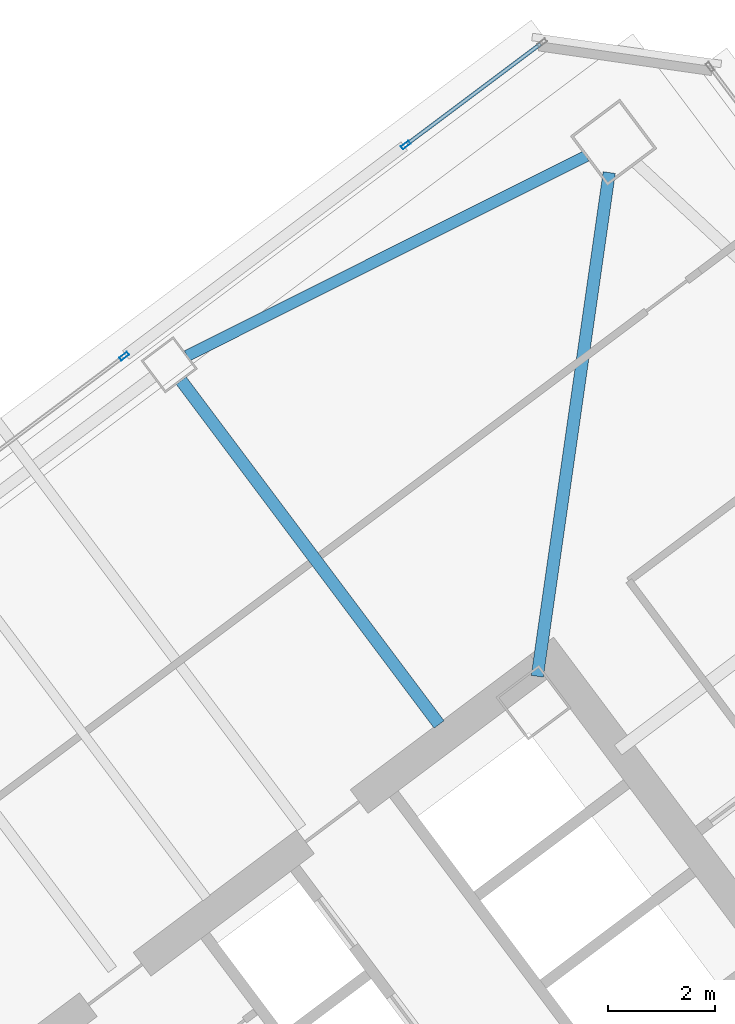
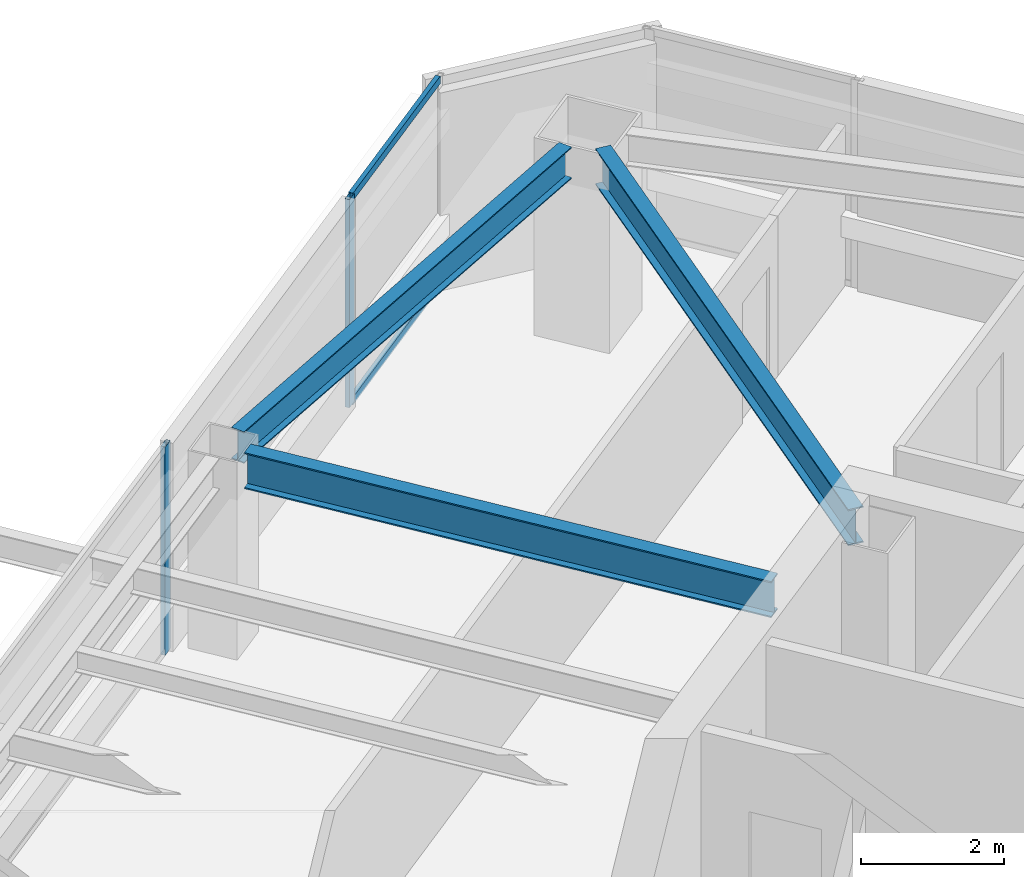
# One storey, part 26 of 41: 4 members, 3 beams, 2 elements without a shape of their own.
"""IFC4 building model written with IfcOpenShell, lengths in metres."""

from ifc_helpers import new_model, si_unit, direction, frame, origin, origin_2d, place, context, subcontext, project, spatial, hollow_rectangle, i_section, extrude, material, material_profile, profile_set, type_object, element, aggregate, save


model = new_model("IFC4")

# Units and contexts
model_context = context("Model", 3, precision=1e-05, world=origin(), true_north=direction((0.0, 1.0)))
body_context = subcontext(model_context, "Body", "Model", "MODEL_VIEW")
ifc_project = project(units=[si_unit("LENGTHUNIT", "METRE"), si_unit("AREAUNIT", "SQUARE_METRE"), si_unit("VOLUMEUNIT", "CUBIC_METRE"), si_unit("PLANEANGLEUNIT", "RADIAN"), si_unit("MASSUNIT", "GRAM", prefix="KILO")], contexts=[model_context])

# Site, building, storey
site_placement = place(None, origin())
site = spatial("IfcSite", under=ifc_project, at=site_placement, CompositionType="ELEMENT")
building_placement = place(site_placement, origin())
building = spatial("IfcBuilding", under=site, at=building_placement, Name="Tashvorn Skyway Center", CompositionType="ELEMENT")
storey_placement = place(building_placement, frame((0.0, 0.0, 174.75)))
storey = spatial("IfcBuildingStorey", under=building, at=storey_placement, Name="L47", CompositionType="ELEMENT", Elevation=174.75)

# Beams
ifc_material_1 = material(Name="Steel ASTM A992 Grade 50", Category="steel")
ifc_material_profile_1 = material_profile(ifc_material_1, i_section(OverallWidth=0.22998046875, OverallDepth=0.616943359375, WebThickness=0.01318359375, FlangeThickness=0.022216796875, at=origin_2d()), Name="W24X94")
ifc_profile_set_1 = profile_set([ifc_material_profile_1], Name="Steel ASTM A992 Grade 50")
beam_type_1 = type_object("IfcBeamType", Name="BM-BEAM-W24X94", PredefinedType="BEAM", material=ifc_profile_set_1)
beam_1_placement = place(storey_placement, frame((116.8193359375, 51.73583984375, 3.0615234375), z_axis=(-0.141417747326, -0.989950009213, 0.0), x_axis=(0.989950009213, -0.141417747326, 0.0)))
element("IfcBeam", 1, at=beam_1_placement, inside=storey, type_object=beam_type_1, Name="Tower 2 L47 Primary Floor Girder MC-NE", PredefinedType="BEAM", context=body_context, shape_type="SweptSolid", body=[
    extrude(i_section(OverallWidth=0.22998046875, OverallDepth=0.616943359375, WebThickness=0.01318359375, FlangeThickness=0.022216796875, at=origin_2d()), origin(), (0.0, 0.0, 1.0), 9.470947265625),
])
beam_2_placement = place(storey_placement, frame((108.85205078125, 47.864013671875, 3.0615234375), z_axis=(0.60000976564, -0.799992675677, 0.0), x_axis=(0.799992675677, 0.60000976564, 0.0)))
element("IfcBeam", 2, at=beam_2_placement, inside=storey, type_object=beam_type_1, Name="Tower 2 L47 Primary Floor Girder FC-N1", PredefinedType="BEAM", context=body_context, shape_type="SweptSolid", body=[
    extrude(i_section(OverallWidth=0.22998046875, OverallDepth=0.616943359375, WebThickness=0.01318359375, FlangeThickness=0.022216796875, at=origin_2d()), origin(), (0.0, 0.0, 1.0), 8.0),
])
ifc_material_profile_2 = material_profile(ifc_material_1, i_section(OverallWidth=0.2109375, OverallDepth=0.5390625, WebThickness=0.01171875, FlangeThickness=0.018798828125, at=origin_2d()), Name="W21X73")
ifc_profile_set_2 = profile_set([ifc_material_profile_2], Name="Steel ASTM A992 Grade 50")
beam_type_2 = type_object("IfcBeamType", Name="BM-SPANDREL-W21X73", PredefinedType="SPANDREL", material=ifc_profile_set_2)
beam_3_placement = place(storey_placement, frame((116.390380859375, 52.044921875, 3.1005859375), z_axis=(-0.894209637559, -0.447648438059, 0.0), x_axis=(0.447648438059, -0.894209637559, 0.0)))
element("IfcBeam", 3, at=beam_3_placement, inside=storey, type_object=beam_type_2, Name="Tower 2 L47 Spandrel Beam 07", PredefinedType="SPANDREL", context=body_context, shape_type="SweptSolid", body=[
    extrude(i_section(OverallWidth=0.2109375, OverallDepth=0.5390625, WebThickness=0.01171875, FlangeThickness=0.018798828125, at=origin_2d()), origin(), (0.0, 0.0, 1.0), 8.308349609375),
])

# Curtain wall, member
ifc_material_2 = material(Name="Thermally broken bronze-anodized aluminium 6063-T6", Category="aluminium")
curtain_wall_type = type_object("IfcCurtainWallType", Name="CW-CW-Z4", PredefinedType="NOTDEFINED", material=ifc_material_2)
curtain_wall_1_placement = place(storey_placement, origin())
curtain_wall_1 = element("IfcCurtainWall", 4, at=curtain_wall_1_placement, inside=storey, type_object=curtain_wall_type, Name="Tower 2 L47 North Unitised Curtain Wall Glazing Group 2", PredefinedType="NOTDEFINED")
ifc_material_profile_3 = material_profile(ifc_material_2, hollow_rectangle(XDim=0.070068359375, YDim=0.179931640625, WallThickness=0.00390625, at=origin_2d()), Name="ALU-MULL-70x180")
ifc_profile_set_3 = profile_set([ifc_material_profile_3], Name="Thermally broken bronze-anodized aluminium 6063-T6")
member_type_1 = type_object("IfcMemberType", Name="CWM-CW-Z4", PredefinedType="MULLION", material=ifc_profile_set_3)
member_1_placement = place(storey_placement, frame((107.7919921875, 48.319091796875, 0.0), z_axis=(0.0, 0.0, 1.0), x_axis=(-0.600000000002, 0.799999999998, 0.0)))
member_1 = element("IfcMember", 5, at=member_1_placement, type_object=member_type_1, Name="CW-Z4 mullion 2", PredefinedType="MULLION", context=body_context, shape_type="SweptSolid", body=[
    extrude(hollow_rectangle(XDim=0.070068359375, YDim=0.179931640625, WallThickness=0.00390625, at=origin_2d()), origin(), (0.0, 0.0, 1.0), 3.550048828125),
])
aggregate(curtain_wall_1, [member_1])

# Curtain wall, members
curtain_wall_2_placement = place(storey_placement, origin())
curtain_wall_2 = element("IfcCurtainWall", 6, at=curtain_wall_2_placement, inside=storey, type_object=curtain_wall_type, Name="Tower 2 L47 North Unitised Curtain Wall Glazing Group 3", PredefinedType="NOTDEFINED")
member_2_placement = place(storey_placement, frame((113.031982421875, 52.2490234375, 0.0), z_axis=(0.0, 0.0, 1.0), x_axis=(-0.600000000002, 0.799999999998, 0.0)))
member_2 = element("IfcMember", 7, at=member_2_placement, type_object=member_type_1, Name="CW-Z4 mullion 1", PredefinedType="MULLION", context=body_context, shape_type="SweptSolid", body=[
    extrude(hollow_rectangle(XDim=0.070068359375, YDim=0.179931640625, WallThickness=0.00390625, at=origin_2d()), origin(), (0.0, 0.0, 1.0), 3.550048828125),
])
ifc_material_profile_4 = material_profile(ifc_material_2, hollow_rectangle(XDim=0.070068359375, YDim=0.1298828125, WallThickness=0.00390625, at=origin_2d()), Name="ALU-TRAN-70x130")
ifc_profile_set_4 = profile_set([ifc_material_profile_4], Name="Thermally broken bronze-anodized aluminium 6063-T6")
member_type_2 = type_object("IfcMemberType", Name="CWT-CW-Z4", PredefinedType="USERDEFINED", material=ifc_profile_set_4)
member_3_placement = place(storey_placement, frame((113.06005859375, 52.27001953125, 0.034912109375), z_axis=(0.800018901408, 0.599974797295, 0.0), x_axis=(-0.599974797295, 0.800018901408, 0.0)))
member_3 = element("IfcMember", 8, at=member_3_placement, type_object=member_type_2, Name="CW-Z4 transom 1.1", ObjectType="TRANSOM", PredefinedType="USERDEFINED", context=body_context, shape_type="SweptSolid", body=[
    extrude(hollow_rectangle(XDim=0.070068359375, YDim=0.1298828125, WallThickness=0.00390625, at=origin_2d()), origin(), (0.0, 0.0, 1.0), 3.099853515625),
])
member_4_placement = place(storey_placement, frame((113.06005859375, 52.27001953125, 3.514892578125), z_axis=(0.800018901408, 0.599974797295, 0.0), x_axis=(-0.599974797295, 0.800018901408, 0.0)))
member_4 = element("IfcMember", 9, at=member_4_placement, type_object=member_type_2, Name="CW-Z4 transom 1.2", ObjectType="TRANSOM", PredefinedType="USERDEFINED", context=body_context, shape_type="SweptSolid", body=[
    extrude(hollow_rectangle(XDim=0.070068359375, YDim=0.1298828125, WallThickness=0.00390625, at=origin_2d()), origin(), (0.0, 0.0, 1.0), 3.099853515625),
])
aggregate(curtain_wall_2, [member_2, member_3, member_4])

save(model, "model.ifc")
